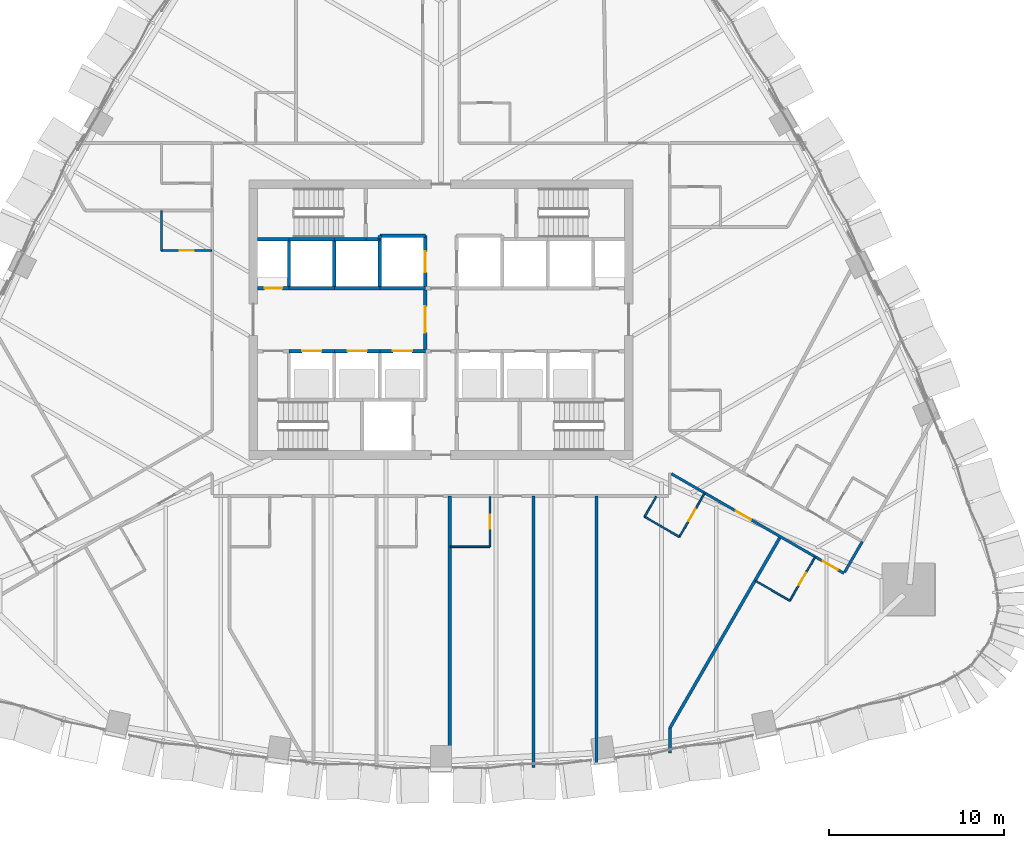
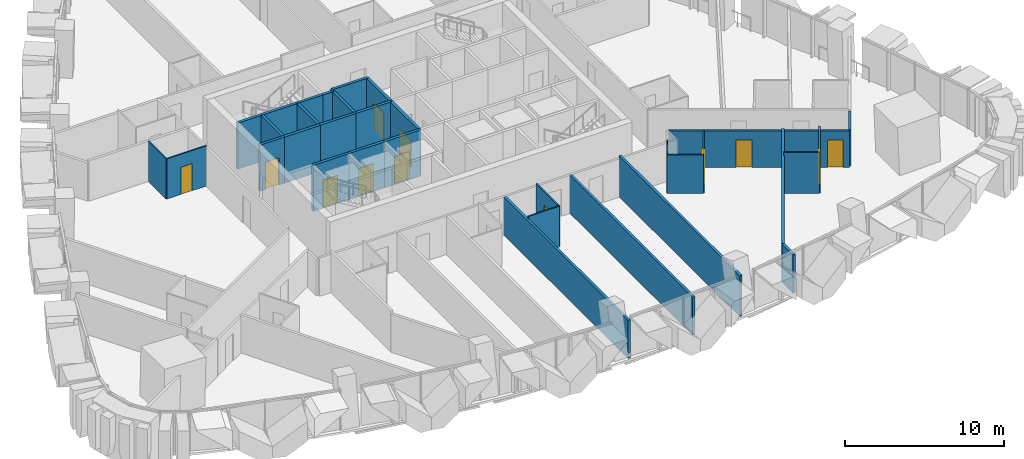
# One storey, part 14 of 22: 34 walls, 12 doors, 12 openings.
"""IFC4 building model written with IfcOpenShell, lengths in metres."""

from ifc_helpers import new_model, si_unit, direction, frame, frame_2d, origin, place, context, subcontext, project, spatial, rectangle, extrude, material, layer, layer_set, type_object, element, fill, save


model = new_model("IFC4")

# Units and contexts
model_context = context("Model", 3, precision=1e-05, world=origin(), true_north=direction((0.0, 1.0)))
body_context = subcontext(model_context, "Body", "Model", "MODEL_VIEW")
ifc_project = project(units=[si_unit("LENGTHUNIT", "METRE"), si_unit("AREAUNIT", "SQUARE_METRE"), si_unit("VOLUMEUNIT", "CUBIC_METRE"), si_unit("PLANEANGLEUNIT", "RADIAN"), si_unit("MASSUNIT", "GRAM", prefix="KILO")], contexts=[model_context])

# Site, building, storey
site_placement = place(None, origin())
site = spatial("IfcSite", under=ifc_project, at=site_placement, CompositionType="ELEMENT")
building_placement = place(site_placement, origin())
building = spatial("IfcBuilding", under=site, at=building_placement, Name="Sierra Prisma Convention Tower", CompositionType="ELEMENT")
storey_placement = place(building_placement, frame((0.0, 0.0, 62.800048828125)))
storey = spatial("IfcBuildingStorey", under=building, at=storey_placement, Name="L11", CompositionType="ELEMENT", Elevation=62.800048828125)

# Wall, opening, door
ifc_material_1 = material(Name="Gypsum board partition", Category="gypsum")
ifc_layer_1 = layer(ifc_material_1, 0.10009765625)
ifc_layer_set_1 = layer_set([ifc_layer_1], Name="Bathroom partition 100")
wall_type_1 = type_object("IfcWallType", Name="Bathroom partition 100", PredefinedType="PARTITIONING", material=ifc_layer_set_1)
wall_1_placement = place(storey_placement, frame((-13.1298828125, 3.94921875, 0.0), z_axis=(0.0, 0.0, 1.0), x_axis=(-1.0, 0.0, 0.0)))
wall_1 = element("IfcWall", 1, at=wall_1_placement, inside=storey, type_object=wall_type_1, Name="Partition L11 bath 5", PredefinedType="PARTITIONING", context=body_context, shape_type="SweptSolid", body=[
    extrude(rectangle(XDim=2.8701171875, YDim=0.10009765625, at=frame_2d((1.43505859375, 0.0))), origin(), (0.0, 0.0, 1.0), 3.093017578125),
])
opening_1_placement = place(wall_1_placement, frame((1.034912109375, 0.0, 0.0)))
opening_1 = element("IfcOpeningElement", 2, at=opening_1_placement, cuts=wall_1, Name="Opening L11-D006", PredefinedType="OPENING", context=body_context, shape_type="SweptSolid", body=[
    extrude(rectangle(XDim=0.800048828125, YDim=2.10009765625, at=frame_2d((0.39990234375, 1.050048828125))), frame((0.0, 0.050048828125, 0.0), z_axis=(0.0, -1.0, 0.0), x_axis=(1.0, 0.0, 0.0)), (0.0, 0.0, 1.0), 0.10009765625),
])
ifc_material_2 = material(Name="Solid core timber door leaf", Category="wood")
door_type_1 = type_object("IfcDoorType", Name="Door 800x2100 plain", OperationType="SINGLE_SWING_LEFT", PredefinedType="DOOR", material=ifc_material_2)
door_1_placement = place(opening_1_placement, origin())
door_1 = element("IfcDoor", 3, at=door_1_placement, inside=storey, type_object=door_type_1, Name="Door L11 14", OperationType="SINGLE_SWING_LEFT", OverallHeight=2.10009765625, OverallWidth=0.800048828125, PredefinedType="DOOR", context=body_context, shape_type="SweptSolid", body=[
    extrude(rectangle(XDim=0.800048828125, YDim=2.10009765625, at=frame_2d((0.39990234375, 1.050048828125))), frame((0.0, 0.02490234375, 0.0), z_axis=(0.0, -1.0, 0.0), x_axis=(1.0, 0.0, 0.0)), (0.0, 0.0, 1.0), 0.050048828125),
])
fill(opening_1, door_1)

# Wall
wall_2_placement = place(storey_placement, frame((-16.0, 3.94921875, 0.0), z_axis=(0.0, 0.0, 1.0), x_axis=(0.0, 1.0, 0.0)))
element("IfcWall", 4, at=wall_2_placement, inside=storey, type_object=wall_type_1, Name="Partition L11 bath 6", PredefinedType="PARTITIONING", context=body_context, shape_type="SweptSolid", body=[
    extrude(rectangle(XDim=2.269775390625, YDim=0.10009765625, at=frame_2d((1.134765625, 0.0))), origin(), (0.0, 0.0, 1.0), 3.093017578125),
])

# Wall, opening, door
wall_3_placement = place(storey_placement, frame((2.800048828125, -10.1298828125, 0.0), z_axis=(0.0, 0.0, 1.0), x_axis=(0.0, -1.0, 0.0)))
wall_3 = element("IfcWall", 5, at=wall_3_placement, inside=storey, type_object=wall_type_1, Name="Partition L11 bath 18", PredefinedType="PARTITIONING", context=body_context, shape_type="SweptSolid", body=[
    extrude(rectangle(XDim=2.8701171875, YDim=0.10009765625, at=frame_2d((1.43505859375, 0.0))), origin(), (0.0, 0.0, 1.0), 3.14990234375),
])
opening_2_placement = place(wall_3_placement, frame((1.034912109375, 0.0, 0.0)))
opening_2 = element("IfcOpeningElement", 6, at=opening_2_placement, cuts=wall_3, Name="Opening L11-D011", PredefinedType="OPENING", context=body_context, shape_type="SweptSolid", body=[
    extrude(rectangle(XDim=0.800048828125, YDim=2.10009765625, at=frame_2d((0.39990234375, 1.050048828125))), frame((0.0, 0.050048828125, 0.0), z_axis=(0.0, -1.0, 0.0), x_axis=(1.0, 0.0, 0.0)), (0.0, 0.0, 1.0), 0.10009765625),
])
door_2_placement = place(opening_2_placement, origin())
door_2 = element("IfcDoor", 7, at=door_2_placement, inside=storey, type_object=door_type_1, Name="Door L11 27", OperationType="SINGLE_SWING_LEFT", OverallHeight=2.10009765625, OverallWidth=0.800048828125, PredefinedType="DOOR", context=body_context, shape_type="SweptSolid", body=[
    extrude(rectangle(XDim=0.800048828125, YDim=2.10009765625, at=frame_2d((0.39990234375, 1.050048828125))), frame((0.0, 0.02490234375, 0.0), z_axis=(0.0, -1.0, 0.0), x_axis=(1.0, 0.0, 0.0)), (0.0, 0.0, 1.0), 0.050048828125),
])
fill(opening_2, door_2)

# Wall
wall_4_placement = place(storey_placement, frame((2.800048828125, -13.0, 0.0), z_axis=(0.0, 0.0, 1.0), x_axis=(-1.0, 0.0, 0.0)))
element("IfcWall", 8, at=wall_4_placement, inside=storey, type_object=wall_type_1, Name="Partition L11 bath 19", PredefinedType="PARTITIONING", context=body_context, shape_type="SweptSolid", body=[
    extrude(rectangle(XDim=2.27001953125, YDim=0.10009765625, at=frame_2d((1.135009765625, 0.0))), origin(), (0.0, 0.0, 1.0), 3.14990234375),
])

# Wall, opening, door
wall_5_placement = place(storey_placement, frame((15.076904296875, -9.95166015625, 0.0), z_axis=(0.0, 0.0, 1.0), x_axis=(-0.499999802827, -0.866025517622, 0.0)))
wall_5 = element("IfcWall", 9, at=wall_5_placement, inside=storey, type_object=wall_type_1, Name="Partition L11 bath 22", PredefinedType="PARTITIONING", context=body_context, shape_type="SweptSolid", body=[
    extrude(rectangle(XDim=2.8701171875, YDim=0.10009765625, at=frame_2d((1.43505859375, 0.0))), origin(), (0.0, 0.0, 1.0), 2.796875),
])
opening_3_placement = place(wall_5_placement, frame((1.034912109375, 0.0, 0.0)))
opening_3 = element("IfcOpeningElement", 10, at=opening_3_placement, cuts=wall_5, Name="Opening L11-D012", PredefinedType="OPENING", context=body_context, shape_type="SweptSolid", body=[
    extrude(rectangle(XDim=0.800048828125, YDim=2.10009765625, at=frame_2d((0.39990234375, 1.050048828125))), frame((0.0, 0.050048828125, 0.0), z_axis=(0.0, -1.0, 0.0), x_axis=(1.0, 0.0, 0.0)), (0.0, 0.0, 1.0), 0.10009765625),
])
door_3_placement = place(opening_3_placement, origin())
door_3 = element("IfcDoor", 11, at=door_3_placement, inside=storey, type_object=door_type_1, Name="Door L11 30", OperationType="SINGLE_SWING_RIGHT", OverallHeight=2.10009765625, OverallWidth=0.800048828125, PredefinedType="DOOR", context=body_context, shape_type="SweptSolid", body=[
    extrude(rectangle(XDim=0.800048828125, YDim=2.10009765625, at=frame_2d((0.39990234375, 1.050048828125))), frame((0.0, 0.02490234375, 0.0), z_axis=(0.0, -1.0, 0.0), x_axis=(1.0, 0.0, 0.0)), (0.0, 0.0, 1.0), 0.050048828125),
])
fill(opening_3, door_3)

# Walls
wall_6_placement = place(storey_placement, frame((13.641845703125, -12.437255859375, 0.0), z_axis=(0.0, 0.0, 1.0), x_axis=(-0.866007057882, 0.500031774688, 0.0)))
element("IfcWall", 12, at=wall_6_placement, inside=storey, type_object=wall_type_1, Name="Partition L11 bath 23", PredefinedType="PARTITIONING", context=body_context, shape_type="SweptSolid", body=[
    extrude(rectangle(XDim=2.300048828125, YDim=0.10009765625, at=frame_2d((1.14990234375, 0.0))), origin(), (0.0, 0.0, 1.0), 2.947021484375),
])
wall_7_placement = place(storey_placement, frame((11.64990234375, -11.287109375, 0.0), z_axis=(0.0, 0.0, 1.0), x_axis=(0.500049290317, 0.865996944136, 0.0)))
element("IfcWall", 13, at=wall_7_placement, inside=storey, type_object=wall_type_1, Name="Partition L11 bath 24", PredefinedType="PARTITIONING", context=body_context, shape_type="SweptSolid", body=[
    extrude(rectangle(XDim=1.336181640625, YDim=0.10009765625, at=frame_2d((0.66796875, 0.0))), origin(), (0.0, 0.0, 1.0), 3.14990234375),
])

# Wall, opening, door
wall_8_placement = place(storey_placement, frame((21.399169921875, -13.601806640625, 0.0), z_axis=(0.0, 0.0, 1.0), x_axis=(-0.499999802827, -0.866025517622, 0.0)))
wall_8 = element("IfcWall", 14, at=wall_8_placement, inside=storey, type_object=wall_type_1, Name="Partition L11 bath 30", PredefinedType="PARTITIONING", context=body_context, shape_type="SweptSolid", body=[
    extrude(rectangle(XDim=2.8701171875, YDim=0.10009765625, at=frame_2d((1.43505859375, 0.0))), origin(), (0.0, 0.0, 1.0), 3.14990234375),
])
opening_4_placement = place(wall_8_placement, frame((1.034912109375, 0.0, 0.0)))
opening_4 = element("IfcOpeningElement", 15, at=opening_4_placement, cuts=wall_8, Name="Opening L11-D013", PredefinedType="OPENING", context=body_context, shape_type="SweptSolid", body=[
    extrude(rectangle(XDim=0.800048828125, YDim=2.10009765625, at=frame_2d((0.39990234375, 1.050048828125))), frame((0.0, 0.050048828125, 0.0), z_axis=(0.0, -1.0, 0.0), x_axis=(1.0, 0.0, 0.0)), (0.0, 0.0, 1.0), 0.10009765625),
])
door_4_placement = place(opening_4_placement, origin())
door_4 = element("IfcDoor", 16, at=door_4_placement, inside=storey, type_object=door_type_1, Name="Door L11 32", OperationType="SINGLE_SWING_RIGHT", OverallHeight=2.10009765625, OverallWidth=0.800048828125, PredefinedType="DOOR", context=body_context, shape_type="SweptSolid", body=[
    extrude(rectangle(XDim=0.800048828125, YDim=2.10009765625, at=frame_2d((0.39990234375, 1.050048828125))), frame((0.0, 0.02490234375, 0.0), z_axis=(0.0, -1.0, 0.0), x_axis=(1.0, 0.0, 0.0)), (0.0, 0.0, 1.0), 0.050048828125),
])
fill(opening_4, door_4)

# Wall
wall_9_placement = place(storey_placement, frame((19.964111328125, -16.08740234375, 0.0), z_axis=(0.0, 0.0, 1.0), x_axis=(-0.866017224141, 0.500014167291, 0.0)))
element("IfcWall", 17, at=wall_9_placement, inside=storey, type_object=wall_type_1, Name="Partition L11 bath 31", PredefinedType="PARTITIONING", context=body_context, shape_type="SweptSolid", body=[
    extrude(rectangle(XDim=2.27001953125, YDim=0.10009765625, at=frame_2d((1.135009765625, 0.0))), origin(), (0.0, 0.0, 1.0), 3.14990234375),
])

# Wall, opening, door
ifc_material_3 = material(Name="Concrete C30/37", Category="concrete")
ifc_layer_2 = layer(ifc_material_3, 0.199951171875)
ifc_layer_set_2 = layer_set([ifc_layer_2], Name="Core wall RC 200 C30/37")
wall_type_2 = type_object("IfcWallType", Name="Core wall RC 200 C30/37", PredefinedType="SOLIDWALL", material=ifc_layer_set_2)
wall_10_placement = place(storey_placement, frame((-8.699951171875, 1.800048828125, 0.0), z_axis=(0.0, 0.0, 1.0), x_axis=(-1.0, 0.0, 0.0)))
wall_10 = element("IfcWall", 18, at=wall_10_placement, inside=storey, type_object=wall_type_2, Name="Core wall L11 3", PredefinedType="SOLIDWALL", context=body_context, shape_type="SweptSolid", body=[
    extrude(rectangle(XDim=1.800048828125, YDim=0.199951171875, at=frame_2d((0.89990234375, 0.0))), origin(), (0.0, 0.0, 1.0), 3.550048828125),
])
opening_5_placement = place(wall_10_placement, frame((0.39990234375, 0.0, 0.0)))
opening_5 = element("IfcOpeningElement", 19, at=opening_5_placement, cuts=wall_10, Name="Opening L11-D032", PredefinedType="OPENING", context=body_context, shape_type="SweptSolid", body=[
    extrude(rectangle(XDim=1.0, YDim=2.10009765625, at=frame_2d((0.5, 1.050048828125))), frame((0.0, 0.10009765625, 0.0), z_axis=(0.0, -1.0, 0.0), x_axis=(1.0, 0.0, 0.0)), (0.0, 0.0, 1.0), 0.199951171875),
])
ifc_material_4 = material(Name="Steel fire door leaf", Category="steel")
door_type_2 = type_object("IfcDoorType", Name="Door 1000x2100 FD60S", OperationType="SINGLE_SWING_LEFT", PredefinedType="DOOR", material=ifc_material_4)
door_5_placement = place(opening_5_placement, origin())
door_5 = element("IfcDoor", 20, at=door_5_placement, inside=storey, type_object=door_type_2, Name="Door L11 54", OperationType="SINGLE_SWING_LEFT", OverallHeight=2.10009765625, OverallWidth=1.0, PredefinedType="DOOR", context=body_context, shape_type="SweptSolid", body=[
    extrude(rectangle(XDim=1.0, YDim=2.10009765625, at=frame_2d((0.5, 1.050048828125))), frame((0.0, 0.02490234375, 0.0), z_axis=(0.0, -1.0, 0.0), x_axis=(1.0, 0.0, 0.0)), (0.0, 0.0, 1.0), 0.050048828125),
])
fill(opening_5, door_5)

# Wall
wall_11_placement = place(storey_placement, frame((-8.699951171875, 4.60009765625, 0.0), z_axis=(0.0, 0.0, 1.0), x_axis=(-1.0, 0.0, 0.0)))
element("IfcWall", 21, at=wall_11_placement, inside=storey, type_object=wall_type_2, Name="Core wall L11 4", PredefinedType="SOLIDWALL", context=body_context, shape_type="SweptSolid", body=[
    extrude(rectangle(XDim=1.800048828125, YDim=0.199951171875, at=frame_2d((0.89990234375, 0.0))), origin(), (0.0, 0.0, 1.0), 3.550048828125),
])

# Wall, opening, door
wall_12_placement = place(storey_placement, frame((-8.699951171875, -1.800048828125, 0.0), z_axis=(0.0, 0.0, 1.0), x_axis=(1.0, 0.0, 0.0)))
wall_12 = element("IfcWall", 22, at=wall_12_placement, inside=storey, type_object=wall_type_2, Name="Core wall L11 7", PredefinedType="SOLIDWALL", context=body_context, shape_type="SweptSolid", body=[
    extrude(rectangle(XDim=2.599853515625, YDim=0.199951171875, at=frame_2d((1.2998046875, 0.0))), origin(), (0.0, 0.0, 1.0), 3.550048828125),
])
opening_6_placement = place(wall_12_placement, frame((0.75, 0.0, 0.0)))
opening_6 = element("IfcOpeningElement", 23, at=opening_6_placement, cuts=wall_12, Name="Opening L11-D017", PredefinedType="OPENING", context=body_context, shape_type="SweptSolid", body=[
    extrude(rectangle(XDim=1.10009765625, YDim=2.10009765625, at=frame_2d((0.550048828125, 1.050048828125))), frame((0.0, 0.10009765625, 0.0), z_axis=(0.0, -1.0, 0.0), x_axis=(1.0, 0.0, 0.0)), (0.0, 0.0, 1.0), 0.199951171875),
])
ifc_material_5 = material(Name="Steel fire door leaf", Category="steel")
door_type_3 = type_object("IfcDoorType", Name="Door 1100x2100 EI 90 sliding lift landing", OperationType="SLIDING_TO_LEFT", PredefinedType="DOOR", material=ifc_material_5)
door_6_placement = place(opening_6_placement, origin())
door_6 = element("IfcDoor", 24, at=door_6_placement, inside=storey, type_object=door_type_3, Name="Door L11 39", OperationType="SLIDING_TO_RIGHT", OverallHeight=2.10009765625, OverallWidth=1.10009765625, PredefinedType="DOOR", context=body_context, shape_type="SweptSolid", body=[
    extrude(rectangle(XDim=1.10009765625, YDim=2.10009765625, at=frame_2d((0.550048828125, 1.050048828125))), frame((0.0, 0.02490234375, 0.0), z_axis=(0.0, -1.0, 0.0), x_axis=(1.0, 0.0, 0.0)), (0.0, 0.0, 1.0), 0.050048828125),
])
fill(opening_6, door_6)

# Walls
wall_13_placement = place(storey_placement, frame((-6.10009765625, 1.800048828125, 0.0), z_axis=(0.0, 0.0, 1.0), x_axis=(-1.0, 0.0, 0.0)))
element("IfcWall", 25, at=wall_13_placement, inside=storey, type_object=wall_type_2, Name="Core wall L11 8", PredefinedType="SOLIDWALL", context=body_context, shape_type="SweptSolid", body=[
    extrude(rectangle(XDim=2.599853515625, YDim=0.199951171875, at=frame_2d((1.2998046875, 0.0))), origin(), (0.0, 0.0, 1.0), 3.550048828125),
])
wall_14_placement = place(storey_placement, frame((-8.699951171875, 1.800048828125, 0.0), z_axis=(0.0, 0.0, 1.0), x_axis=(0.0, 1.0, 0.0)))
element("IfcWall", 26, at=wall_14_placement, inside=storey, type_object=wall_type_2, Name="Core wall L11 9", PredefinedType="SOLIDWALL", context=body_context, shape_type="SweptSolid", body=[
    extrude(rectangle(XDim=2.800048828125, YDim=0.199951171875, at=frame_2d((1.39990234375, 0.0))), origin(), (0.0, 0.0, 1.0), 3.550048828125),
])
wall_15_placement = place(storey_placement, frame((-6.10009765625, 4.60009765625, 0.0), z_axis=(0.0, 0.0, 1.0), x_axis=(-1.0, 0.0, 0.0)))
element("IfcWall", 27, at=wall_15_placement, inside=storey, type_object=wall_type_2, Name="Core wall L11 10", PredefinedType="SOLIDWALL", context=body_context, shape_type="SweptSolid", body=[
    extrude(rectangle(XDim=2.599853515625, YDim=0.199951171875, at=frame_2d((1.2998046875, 0.0))), origin(), (0.0, 0.0, 1.0), 3.550048828125),
])

# Wall, opening, door
wall_16_placement = place(storey_placement, frame((-6.10009765625, -1.800048828125, 0.0), z_axis=(0.0, 0.0, 1.0), x_axis=(1.0, 0.0, 0.0)))
wall_16 = element("IfcWall", 28, at=wall_16_placement, inside=storey, type_object=wall_type_2, Name="Core wall L11 13", PredefinedType="SOLIDWALL", context=body_context, shape_type="SweptSolid", body=[
    extrude(rectangle(XDim=2.60009765625, YDim=0.199951171875, at=frame_2d((1.300048828125, 0.0))), origin(), (0.0, 0.0, 1.0), 3.550048828125),
])
opening_7_placement = place(wall_16_placement, frame((0.75, 0.0, 0.0)))
opening_7 = element("IfcOpeningElement", 29, at=opening_7_placement, cuts=wall_16, Name="Opening L11-D018", PredefinedType="OPENING", context=body_context, shape_type="SweptSolid", body=[
    extrude(rectangle(XDim=1.10009765625, YDim=2.10009765625, at=frame_2d((0.550048828125, 1.050048828125))), frame((0.0, 0.10009765625, 0.0), z_axis=(0.0, -1.0, 0.0), x_axis=(1.0, 0.0, 0.0)), (0.0, 0.0, 1.0), 0.199951171875),
])
door_7_placement = place(opening_7_placement, origin())
door_7 = element("IfcDoor", 30, at=door_7_placement, inside=storey, type_object=door_type_3, Name="Door L11 40", OperationType="SLIDING_TO_RIGHT", OverallHeight=2.10009765625, OverallWidth=1.10009765625, PredefinedType="DOOR", context=body_context, shape_type="SweptSolid", body=[
    extrude(rectangle(XDim=1.10009765625, YDim=2.10009765625, at=frame_2d((0.550048828125, 1.050048828125))), frame((0.0, 0.02490234375, 0.0), z_axis=(0.0, -1.0, 0.0), x_axis=(1.0, 0.0, 0.0)), (0.0, 0.0, 1.0), 0.050048828125),
])
fill(opening_7, door_7)

# Walls
wall_17_placement = place(storey_placement, frame((-3.5, 1.800048828125, 0.0), z_axis=(0.0, 0.0, 1.0), x_axis=(-1.0, 0.0, 0.0)))
element("IfcWall", 31, at=wall_17_placement, inside=storey, type_object=wall_type_2, Name="Core wall L11 14", PredefinedType="SOLIDWALL", context=body_context, shape_type="SweptSolid", body=[
    extrude(rectangle(XDim=2.60009765625, YDim=0.199951171875, at=frame_2d((1.300048828125, 0.0))), origin(), (0.0, 0.0, 1.0), 3.550048828125),
])
wall_18_placement = place(storey_placement, frame((-6.10009765625, 1.800048828125, 0.0), z_axis=(0.0, 0.0, 1.0), x_axis=(0.0, 1.0, 0.0)))
element("IfcWall", 32, at=wall_18_placement, inside=storey, type_object=wall_type_2, Name="Core wall L11 15", PredefinedType="SOLIDWALL", context=body_context, shape_type="SweptSolid", body=[
    extrude(rectangle(XDim=2.800048828125, YDim=0.199951171875, at=frame_2d((1.39990234375, 0.0))), origin(), (0.0, 0.0, 1.0), 3.550048828125),
])
wall_19_placement = place(storey_placement, frame((-4.300048828125, 4.60009765625, 0.0), z_axis=(0.0, 0.0, 1.0), x_axis=(-1.0, 0.0, 0.0)))
element("IfcWall", 33, at=wall_19_placement, inside=storey, type_object=wall_type_2, Name="Core wall L11 16", PredefinedType="SOLIDWALL", context=body_context, shape_type="SweptSolid", body=[
    extrude(rectangle(XDim=1.800048828125, YDim=0.199951171875, at=frame_2d((0.89990234375, 0.0))), origin(), (0.0, 0.0, 1.0), 3.550048828125),
])
wall_20_placement = place(storey_placement, frame((-3.5, 4.60009765625, 0.0), z_axis=(0.0, 0.0, 1.0), x_axis=(-1.0, 0.0, 0.0)))
element("IfcWall", 34, at=wall_20_placement, inside=storey, type_object=wall_type_2, Name="Core wall L11 19", PredefinedType="SOLIDWALL", context=body_context, shape_type="SweptSolid", body=[
    extrude(rectangle(XDim=0.800048828125, YDim=0.199951171875, at=frame_2d((0.39990234375, 0.0))), origin(), (0.0, 0.0, 1.0), 3.550048828125),
])

# Wall, opening, door
wall_21_placement = place(storey_placement, frame((-3.5, -1.800048828125, 0.0), z_axis=(0.0, 0.0, 1.0), x_axis=(1.0, 0.0, 0.0)))
wall_21 = element("IfcWall", 35, at=wall_21_placement, inside=storey, type_object=wall_type_2, Name="Core wall L11 23", PredefinedType="SOLIDWALL", context=body_context, shape_type="SweptSolid", body=[
    extrude(rectangle(XDim=2.60009765625, YDim=0.199951171875, at=frame_2d((1.300048828125, 0.0))), origin(), (0.0, 0.0, 1.0), 3.550048828125),
])
opening_8_placement = place(wall_21_placement, frame((0.75, 0.0, 0.0)))
opening_8 = element("IfcOpeningElement", 36, at=opening_8_placement, cuts=wall_21, Name="Opening L11-D019", PredefinedType="OPENING", context=body_context, shape_type="SweptSolid", body=[
    extrude(rectangle(XDim=1.10009765625, YDim=2.10009765625, at=frame_2d((0.550048828125, 1.050048828125))), frame((0.0, 0.10009765625, 0.0), z_axis=(0.0, -1.0, 0.0), x_axis=(1.0, 0.0, 0.0)), (0.0, 0.0, 1.0), 0.199951171875),
])
door_8_placement = place(opening_8_placement, origin())
door_8 = element("IfcDoor", 37, at=door_8_placement, inside=storey, type_object=door_type_3, Name="Door L11 41", OperationType="SLIDING_TO_RIGHT", OverallHeight=2.10009765625, OverallWidth=1.10009765625, PredefinedType="DOOR", context=body_context, shape_type="SweptSolid", body=[
    extrude(rectangle(XDim=1.10009765625, YDim=2.10009765625, at=frame_2d((0.550048828125, 1.050048828125))), frame((0.0, 0.02490234375, 0.0), z_axis=(0.0, -1.0, 0.0), x_axis=(1.0, 0.0, 0.0)), (0.0, 0.0, 1.0), 0.050048828125),
])
fill(opening_8, door_8)

# Walls
wall_22_placement = place(storey_placement, frame((-0.89990234375, 1.800048828125, 0.0), z_axis=(0.0, 0.0, 1.0), x_axis=(-1.0, 0.0, 0.0)))
element("IfcWall", 38, at=wall_22_placement, inside=storey, type_object=wall_type_2, Name="Core wall L11 24", PredefinedType="SOLIDWALL", context=body_context, shape_type="SweptSolid", body=[
    extrude(rectangle(XDim=2.60009765625, YDim=0.199951171875, at=frame_2d((1.300048828125, 0.0))), origin(), (0.0, 0.0, 1.0), 3.550048828125),
])
wall_23_placement = place(storey_placement, frame((-3.5, 4.60009765625, 0.0), z_axis=(0.0, 0.0, 1.0), x_axis=(0.0, -1.0, 0.0)))
element("IfcWall", 39, at=wall_23_placement, inside=storey, type_object=wall_type_2, Name="Core wall L11 25", PredefinedType="SOLIDWALL", context=body_context, shape_type="SweptSolid", body=[
    extrude(rectangle(XDim=2.800048828125, YDim=0.199951171875, at=frame_2d((1.39990234375, 0.0))), origin(), (0.0, 0.0, 1.0), 3.550048828125),
])

# Wall, opening, door
wall_24_placement = place(storey_placement, frame((-0.89990234375, 1.800048828125, 0.0), z_axis=(0.0, 0.0, 1.0), x_axis=(0.0, 1.0, 0.0)))
wall_24 = element("IfcWall", 40, at=wall_24_placement, inside=storey, type_object=wall_type_2, Name="Core wall L11 26", PredefinedType="SOLIDWALL", context=body_context, shape_type="SweptSolid", body=[
    extrude(rectangle(XDim=3.0, YDim=0.199951171875, at=frame_2d((1.5, 0.0))), origin(), (0.0, 0.0, 1.0), 3.550048828125),
])
opening_9_placement = place(wall_24_placement, frame((0.89990234375, 0.0, 0.0)))
opening_9 = element("IfcOpeningElement", 41, at=opening_9_placement, cuts=wall_24, Name="Opening L11-D023", PredefinedType="OPENING", context=body_context, shape_type="SweptSolid", body=[
    extrude(rectangle(XDim=1.199951171875, YDim=2.10009765625, at=frame_2d((0.60009765625, 1.050048828125))), frame((0.0, 0.10009765625, 0.0), z_axis=(0.0, -1.0, 0.0), x_axis=(1.0, 0.0, 0.0)), (0.0, 0.0, 1.0), 0.199951171875),
])
ifc_material_6 = material(Name="Steel fire door leaf", Category="steel")
door_type_4 = type_object("IfcDoorType", Name="Door 1200x2100 EI 90 sliding lift landing", OperationType="SLIDING_TO_LEFT", PredefinedType="DOOR", material=ifc_material_6)
door_9_placement = place(opening_9_placement, origin())
door_9 = element("IfcDoor", 42, at=door_9_placement, inside=storey, type_object=door_type_4, Name="Door L11 45", OperationType="SLIDING_TO_RIGHT", OverallHeight=2.10009765625, OverallWidth=1.199951171875, PredefinedType="DOOR", context=body_context, shape_type="SweptSolid", body=[
    extrude(rectangle(XDim=1.199951171875, YDim=2.10009765625, at=frame_2d((0.60009765625, 1.050048828125))), frame((0.0, 0.02490234375, 0.0), z_axis=(0.0, -1.0, 0.0), x_axis=(1.0, 0.0, 0.0)), (0.0, 0.0, 1.0), 0.050048828125),
])
fill(opening_9, door_9)

# Walls
wall_25_placement = place(storey_placement, frame((-0.89990234375, 4.800048828125, 0.0), z_axis=(0.0, 0.0, 1.0), x_axis=(-1.0, 0.0, 0.0)))
element("IfcWall", 43, at=wall_25_placement, inside=storey, type_object=wall_type_2, Name="Core wall L11 27", PredefinedType="SOLIDWALL", context=body_context, shape_type="SweptSolid", body=[
    extrude(rectangle(XDim=2.60009765625, YDim=0.199951171875, at=frame_2d((1.300048828125, 0.0))), origin(), (0.0, 0.0, 1.0), 3.550048828125),
])
wall_26_placement = place(storey_placement, frame((-3.5, 4.800048828125, 0.0), z_axis=(0.0, 0.0, 1.0), x_axis=(0.0, -1.0, 0.0)))
element("IfcWall", 44, at=wall_26_placement, inside=storey, type_object=wall_type_2, Name="Core wall L11 28", PredefinedType="SOLIDWALL", context=body_context, shape_type="SweptSolid", body=[
    extrude(rectangle(XDim=0.199951171875, YDim=0.199951171875, at=frame_2d((0.10009765625, 0.0))), origin(), (0.0, 0.0, 1.0), 3.550048828125),
])

# Wall, opening, door
wall_27_placement = place(storey_placement, frame((-0.89990234375, 1.800048828125, 0.0), z_axis=(0.0, 0.0, 1.0), x_axis=(0.0, -1.0, 0.0)))
wall_27 = element("IfcWall", 45, at=wall_27_placement, inside=storey, type_object=wall_type_2, Name="Core wall L11 33", PredefinedType="SOLIDWALL", context=body_context, shape_type="SweptSolid", body=[
    extrude(rectangle(XDim=3.60009765625, YDim=0.199951171875, at=frame_2d((1.800048828125, 0.0))), origin(), (0.0, 0.0, 1.0), 3.550048828125),
])
opening_10_placement = place(wall_27_placement, frame((1.050048828125, 0.0, 0.0)))
opening_10 = element("IfcOpeningElement", 46, at=opening_10_placement, cuts=wall_27, Name="Opening L11-D026", PredefinedType="OPENING", context=body_context, shape_type="SweptSolid", body=[
    extrude(rectangle(XDim=1.5, YDim=2.10009765625, at=frame_2d((0.75, 1.050048828125))), frame((0.0, 0.10009765625, 0.0), z_axis=(0.0, -1.0, 0.0), x_axis=(1.0, 0.0, 0.0)), (0.0, 0.0, 1.0), 0.199951171875),
])
ifc_material_7 = material(Name="Steel fire door leaf", Category="steel")
door_type_5 = type_object("IfcDoorType", Name="Door 1500x2100 FD30S", OperationType="DOUBLE_DOOR_SINGLE_SWING", PredefinedType="DOOR", material=ifc_material_7)
door_10_placement = place(opening_10_placement, origin())
door_10 = element("IfcDoor", 47, at=door_10_placement, inside=storey, type_object=door_type_5, Name="Door L11 48", OperationType="DOUBLE_DOOR_SINGLE_SWING", OverallHeight=2.10009765625, OverallWidth=1.5, PredefinedType="DOOR", context=body_context, shape_type="SweptSolid", body=[
    extrude(rectangle(XDim=1.5, YDim=2.10009765625, at=frame_2d((0.75, 1.050048828125))), frame((0.0, 0.02490234375, 0.0), z_axis=(0.0, -1.0, 0.0), x_axis=(1.0, 0.0, 0.0)), (0.0, 0.0, 1.0), 0.050048828125),
])
fill(opening_10, door_10)

# Wall, openings, doors
ifc_material_8 = material(Name="Gypsum board partition", Category="gypsum")
ifc_layer_3 = layer(ifc_material_8, 0.14990234375)
ifc_layer_set_3 = layer_set([ifc_layer_3], Name="Corridor wall 150 gypsum EI 60")
wall_type_3 = type_object("IfcWallType", Name="Corridor wall 150 gypsum EI 60", PredefinedType="PARTITIONING", material=ifc_layer_set_3)
wall_28_placement = place(storey_placement, frame((13.17919921875, -8.821533203125, 0.0), z_axis=(0.0, 0.0, 1.0), x_axis=(0.86603413911, -0.499984869667, 0.0)))
wall_28 = element("IfcWall", 48, at=wall_28_placement, inside=storey, type_object=wall_type_3, Name="Partition L11 corr 14", PredefinedType="PARTITIONING", context=body_context, shape_type="SweptSolid", body=[
    extrude(rectangle(XDim=11.408935546875, YDim=0.14990234375, at=frame_2d((5.70458984375, 0.0))), origin(), (0.0, 0.0, 1.0), 2.796875),
])
opening_11_placement = place(wall_28_placement, frame((4.258544921875, 0.0, 0.0)))
opening_11 = element("IfcOpeningElement", 49, at=opening_11_placement, cuts=wall_28, Name="Opening L11-D056", PredefinedType="OPENING", context=body_context, shape_type="SweptSolid", body=[
    extrude(rectangle(XDim=1.0, YDim=2.10009765625, at=frame_2d((0.5, 1.050048828125))), frame((0.0, 0.074951171875, 0.0), z_axis=(0.0, -1.0, 0.0), x_axis=(1.0, 0.0, 0.0)), (0.0, 0.0, 1.0), 0.14990234375),
])
opening_12_placement = place(wall_28_placement, frame((10.0087890625, 0.0, 0.0)))
opening_12 = element("IfcOpeningElement", 50, at=opening_12_placement, cuts=wall_28, Name="Opening L11-D057", PredefinedType="OPENING", context=body_context, shape_type="SweptSolid", body=[
    extrude(rectangle(XDim=1.0, YDim=2.10009765625, at=frame_2d((0.5, 1.050048828125))), frame((0.0, 0.074951171875, 0.0), z_axis=(0.0, -1.0, 0.0), x_axis=(1.0, 0.0, 0.0)), (0.0, 0.0, 1.0), 0.14990234375),
])
ifc_material_9 = material(Name="Steel fire door leaf", Category="steel")
door_type_6 = type_object("IfcDoorType", Name="Door 1000x2100 FD30S", OperationType="SINGLE_SWING_LEFT", PredefinedType="DOOR", material=ifc_material_9)
door_11_placement = place(opening_11_placement, origin())
door_11 = element("IfcDoor", 51, at=door_11_placement, inside=storey, type_object=door_type_6, Name="Door L11 29", OperationType="SINGLE_SWING_LEFT", OverallHeight=2.10009765625, OverallWidth=1.0, PredefinedType="DOOR", context=body_context, shape_type="SweptSolid", body=[
    extrude(rectangle(XDim=1.0, YDim=2.10009765625, at=frame_2d((0.5, 1.050048828125))), frame((0.0, 0.02490234375, 0.0), z_axis=(0.0, -1.0, 0.0), x_axis=(1.0, 0.0, 0.0)), (0.0, 0.0, 1.0), 0.050048828125),
])
fill(opening_11, door_11)
door_12_placement = place(opening_12_placement, origin())
door_12 = element("IfcDoor", 52, at=door_12_placement, inside=storey, type_object=door_type_6, Name="Door L11 31", OperationType="SINGLE_SWING_RIGHT", OverallHeight=2.10009765625, OverallWidth=1.0, PredefinedType="DOOR", context=body_context, shape_type="SweptSolid", body=[
    extrude(rectangle(XDim=1.0, YDim=2.10009765625, at=frame_2d((0.5, 1.050048828125))), frame((0.0, 0.02490234375, 0.0), z_axis=(0.0, -1.0, 0.0), x_axis=(1.0, 0.0, 0.0)), (0.0, 0.0, 1.0), 0.050048828125),
])
fill(opening_12, door_12)

# Walls
wall_29_placement = place(storey_placement, frame((23.099609375, -14.45654296875, 0.0), z_axis=(0.0, 0.0, 1.0), x_axis=(0.500025864173, 0.866010470582, 0.0)))
element("IfcWall", 53, at=wall_29_placement, inside=storey, type_object=wall_type_3, Name="Partition L11 corr 15", PredefinedType="PARTITIONING", context=body_context, shape_type="SweptSolid", body=[
    extrude(rectangle(XDim=2.02001953125, YDim=0.14990234375, at=frame_2d((1.010009765625, 0.0))), origin(), (0.0, 0.0, 1.0), 2.796875),
])
ifc_material_10 = material(Name="Acoustic gypsum board partition", Category="gypsum")
ifc_layer_4 = layer(ifc_material_10, 0.175048828125)
ifc_layer_set_4 = layer_set([ifc_layer_4], Name="Guest room party wall 175 acoustic EI 60")
wall_type_4 = type_object("IfcWallType", Name="Guest room party wall 175 acoustic EI 60", PredefinedType="PARTITIONING", material=ifc_layer_set_4)
wall_30_placement = place(storey_placement, frame((0.5, -10.10009765625, 0.0), z_axis=(0.0, 0.0, 1.0), x_axis=(0.0, -1.0, 0.0)))
element("IfcWall", 54, at=wall_30_placement, inside=storey, type_object=wall_type_4, Name="Partition L11 hparty 14", PredefinedType="PARTITIONING", context=body_context, shape_type="SweptSolid", body=[
    extrude(rectangle(XDim=15.7099609375, YDim=0.175048828125, at=frame_2d((7.85498046875, 0.0))), origin(), (0.0, 0.0, 1.0), 2.933837890625),
])
wall_31_placement = place(storey_placement, frame((5.300048828125, -10.10009765625, 0.0), z_axis=(0.0, 0.0, 1.0), x_axis=(0.0, -1.0, 0.0)))
element("IfcWall", 55, at=wall_31_placement, inside=storey, type_object=wall_type_4, Name="Partition L11 hparty 17", PredefinedType="PARTITIONING", context=body_context, shape_type="SweptSolid", body=[
    extrude(rectangle(XDim=15.54931640625, YDim=0.175048828125, at=frame_2d((7.774658203125, 0.0))), origin(), (0.0, 0.0, 1.0), 2.933837890625),
])
wall_32_placement = place(storey_placement, frame((8.89990234375, -25.352783203125, 0.0), z_axis=(0.0, 0.0, 1.0), x_axis=(0.0, 1.0, 0.0)))
element("IfcWall", 56, at=wall_32_placement, inside=storey, type_object=wall_type_4, Name="Partition L11 hparty 18", PredefinedType="PARTITIONING", context=body_context, shape_type="SweptSolid", body=[
    extrude(rectangle(XDim=15.252685546875, YDim=0.175048828125, at=frame_2d((7.62646484375, 0.0))), origin(), (0.0, 0.0, 1.0), 3.14990234375),
])
wall_33_placement = place(storey_placement, frame((19.42236328125, -12.42578125, 0.0), z_axis=(0.0, 0.0, 1.0), x_axis=(-0.499984848557, -0.866034151298, 0.0)))
element("IfcWall", 57, at=wall_33_placement, inside=storey, type_object=wall_type_4, Name="Partition L11 hparty 20", PredefinedType="PARTITIONING", context=body_context, shape_type="SweptSolid", body=[
    extrude(rectangle(XDim=12.64501953125, YDim=0.175048828125, at=frame_2d((6.322509765625, 0.0))), origin(), (0.0, 0.0, 1.0), 2.933837890625),
])
wall_34_placement = place(storey_placement, frame((13.10009765625, -23.376708984375, 0.0), z_axis=(0.0, 0.0, 1.0), x_axis=(0.0, -1.0, 0.0)))
element("IfcWall", 58, at=wall_34_placement, inside=storey, type_object=wall_type_4, Name="Partition L11 hparty 21", PredefinedType="PARTITIONING", context=body_context, shape_type="SweptSolid", body=[
    extrude(rectangle(XDim=1.4404296875, YDim=0.175048828125, at=frame_2d((0.72021484375, 0.0))), origin(), (0.0, 0.0, 1.0), 2.933837890625),
])

save(model, "model.ifc")
